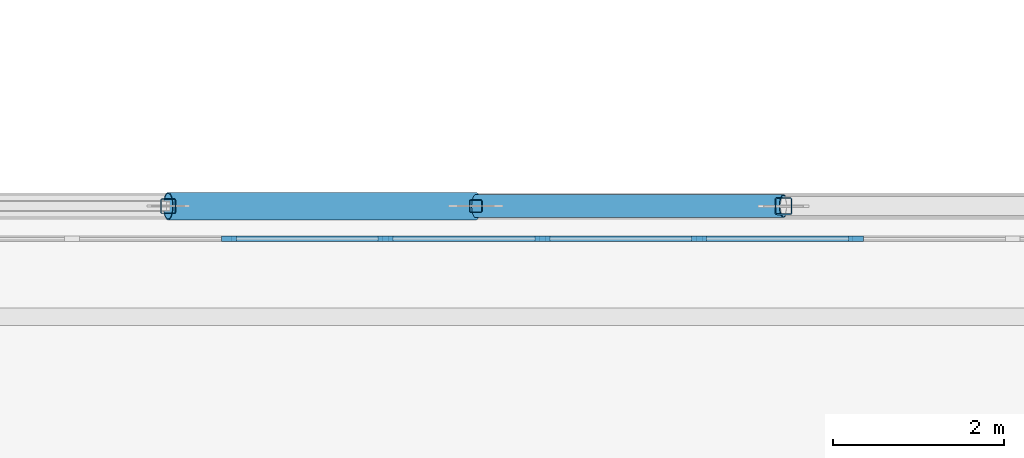
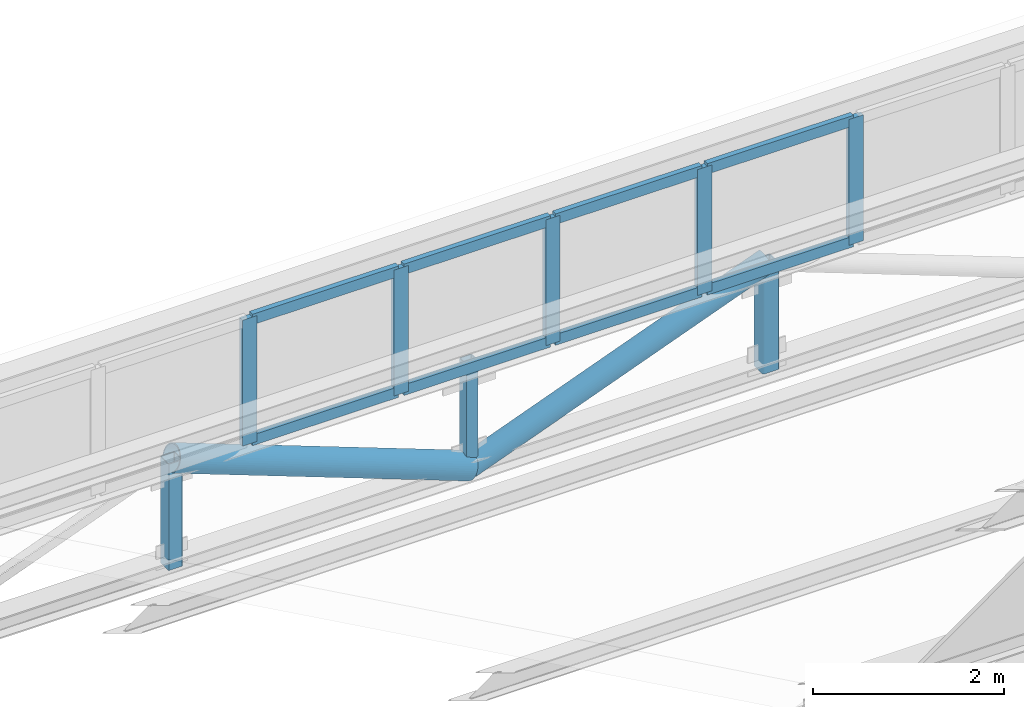
# One storey, part 32 of 98: 18 members, 1 element without a shape of its own.
"""IFC4 building model written with IfcOpenShell, lengths in metres."""

from ifc_helpers import new_model, si_unit, direction, frame, origin, origin_2d, place, context, subcontext, project, spatial, rectangle, hollow_rectangle, hollow_circle, extrude, material, layer, layer_set, material_profile, profile_set, type_object, element, aggregate, save


model = new_model("IFC4")

# Units and contexts
model_context = context("Model", 3, precision=1e-05, world=origin(), true_north=direction((0.0, 1.0)))
body_context = subcontext(model_context, "Body", "Model", "MODEL_VIEW")
ifc_project = project(units=[si_unit("LENGTHUNIT", "METRE"), si_unit("AREAUNIT", "SQUARE_METRE"), si_unit("VOLUMEUNIT", "CUBIC_METRE"), si_unit("PLANEANGLEUNIT", "RADIAN"), si_unit("MASSUNIT", "GRAM", prefix="KILO")], contexts=[model_context])

# Site, building, storey
site_placement = place(None, origin())
site = spatial("IfcSite", under=ifc_project, at=site_placement, CompositionType="ELEMENT")
building_placement = place(site_placement, origin())
building = spatial("IfcBuilding", under=site, at=building_placement, Name="Solenvale Faculty of Natural Sciences", CompositionType="ELEMENT")
storey_placement = place(building_placement, frame((0.0, 0.0, 9.0)))
storey = spatial("IfcBuildingStorey", under=building, at=storey_placement, Name="L02", CompositionType="ELEMENT", Elevation=9.0)

# Curtain wall, members
ifc_material_1 = material(Name="Anodised bronze aluminium", Category="aluminium")
ifc_layer = layer(ifc_material_1, 0.1650390625)
ifc_layer_set = layer_set([ifc_layer], Name="Anodised bronze aluminium")
curtain_wall_type = type_object("IfcCurtainWallType", Name="CW-SAW-CLR", PredefinedType="USERDEFINED", material=ifc_layer_set)
curtain_wall_placement = place(storey_placement, origin())
curtain_wall = element("IfcCurtainWall", 1, at=curtain_wall_placement, inside=storey, type_object=curtain_wall_type, Name="L02 Curtain Wall SAW-V1-CW-6-1", ObjectType="NORTH LIGHT CLERESTORY", PredefinedType="USERDEFINED")
ifc_material_profile_1 = material_profile(ifc_material_1, rectangle(XDim=0.06494140625, YDim=0.175048828125, at=origin_2d()), Name="ALU-MUL-65x175")
ifc_profile_set_1 = profile_set([ifc_material_profile_1], Name="Anodised bronze aluminium")
member_type_1 = type_object("IfcMemberType", Name="CWM-ALU-65x175", PredefinedType="MULLION", material=ifc_profile_set_1)
member_1_placement = place(storey_placement, frame((11.64794921875, 42.820068359375, 2.22998046875), z_axis=(0.0, 0.0, 1.0), x_axis=(0.0, -1.0, 0.0)))
member_1 = element("IfcMember", 2, at=member_1_placement, type_object=member_type_1, Name="CW-05 mullion 10", PredefinedType="MULLION", context=body_context, shape_type="SweptSolid", body=[
    extrude(rectangle(XDim=0.06494140625, YDim=0.175048828125, at=origin_2d()), origin(), (0.0, 0.0, 1.0), 1.610107421875),
])
member_2_placement = place(storey_placement, frame((9.813232421875, 42.820068359375, 2.22998046875), z_axis=(0.0, 0.0, 1.0), x_axis=(0.0, -1.0, 0.0)))
member_2 = element("IfcMember", 3, at=member_2_placement, type_object=member_type_1, Name="CW-05 mullion 11", PredefinedType="MULLION", context=body_context, shape_type="SweptSolid", body=[
    extrude(rectangle(XDim=0.06494140625, YDim=0.175048828125, at=origin_2d()), origin(), (0.0, 0.0, 1.0), 1.610107421875),
])
member_3_placement = place(storey_placement, frame((7.978759765625, 42.820068359375, 2.22998046875), z_axis=(0.0, 0.0, 1.0), x_axis=(0.0, -1.0, 0.0)))
member_3 = element("IfcMember", 4, at=member_3_placement, type_object=member_type_1, Name="CW-05 mullion 12", PredefinedType="MULLION", context=body_context, shape_type="SweptSolid", body=[
    extrude(rectangle(XDim=0.06494140625, YDim=0.175048828125, at=origin_2d()), origin(), (0.0, 0.0, 1.0), 1.610107421875),
])
member_4_placement = place(storey_placement, frame((6.14404296875, 42.820068359375, 2.22998046875), z_axis=(0.0, 0.0, 1.0), x_axis=(0.0, -1.0, 0.0)))
member_4 = element("IfcMember", 5, at=member_4_placement, type_object=member_type_1, Name="CW-05 mullion 13", PredefinedType="MULLION", context=body_context, shape_type="SweptSolid", body=[
    extrude(rectangle(XDim=0.06494140625, YDim=0.175048828125, at=origin_2d()), origin(), (0.0, 0.0, 1.0), 1.610107421875),
])
member_5_placement = place(storey_placement, frame((4.309326171875, 42.820068359375, 2.22998046875), z_axis=(0.0, 0.0, 1.0), x_axis=(0.0, -1.0, 0.0)))
member_5 = element("IfcMember", 6, at=member_5_placement, type_object=member_type_1, Name="CW-05 mullion 14", PredefinedType="MULLION", context=body_context, shape_type="SweptSolid", body=[
    extrude(rectangle(XDim=0.06494140625, YDim=0.175048828125, at=origin_2d()), origin(), (0.0, 0.0, 1.0), 1.610107421875),
])
ifc_material_profile_2 = material_profile(ifc_material_1, rectangle(XDim=0.06494140625, YDim=0.135009765625, at=origin_2d()), Name="ALU-TRN-65x135")
ifc_profile_set_2 = profile_set([ifc_material_profile_2], Name="Anodised bronze aluminium")
member_type_2 = type_object("IfcMemberType", Name="CWT-ALU-65x135", PredefinedType="USERDEFINED", material=ifc_profile_set_2)
member_6_placement = place(storey_placement, frame((11.615478515625, 42.820068359375, 2.262451171875), z_axis=(-1.0, 0.0, 0.0), x_axis=(0.0, -1.0, 0.0)))
member_6 = element("IfcMember", 7, at=member_6_placement, type_object=member_type_2, Name="CW-05 transom 10.1", ObjectType="TRANSOM", PredefinedType="USERDEFINED", context=body_context, shape_type="SweptSolid", body=[
    extrude(rectangle(XDim=0.06494140625, YDim=0.135009765625, at=origin_2d()), origin(), (0.0, 0.0, 1.0), 1.76953125),
])
member_7_placement = place(storey_placement, frame((11.615478515625, 42.820068359375, 3.8076171875), z_axis=(-1.0, 0.0, 0.0), x_axis=(0.0, -1.0, 0.0)))
member_7 = element("IfcMember", 8, at=member_7_placement, type_object=member_type_2, Name="CW-05 transom 10.2", ObjectType="TRANSOM", PredefinedType="USERDEFINED", context=body_context, shape_type="SweptSolid", body=[
    extrude(rectangle(XDim=0.06494140625, YDim=0.135009765625, at=origin_2d()), origin(), (0.0, 0.0, 1.0), 1.76953125),
])
member_8_placement = place(storey_placement, frame((9.78076171875, 42.820068359375, 2.262451171875), z_axis=(-1.0, 0.0, 0.0), x_axis=(0.0, -1.0, 0.0)))
member_8 = element("IfcMember", 9, at=member_8_placement, type_object=member_type_2, Name="CW-05 transom 11.1", ObjectType="TRANSOM", PredefinedType="USERDEFINED", context=body_context, shape_type="SweptSolid", body=[
    extrude(rectangle(XDim=0.06494140625, YDim=0.135009765625, at=origin_2d()), origin(), (0.0, 0.0, 1.0), 1.76953125),
])
member_9_placement = place(storey_placement, frame((9.78076171875, 42.820068359375, 3.8076171875), z_axis=(-1.0, 0.0, 0.0), x_axis=(0.0, -1.0, 0.0)))
member_9 = element("IfcMember", 10, at=member_9_placement, type_object=member_type_2, Name="CW-05 transom 11.2", ObjectType="TRANSOM", PredefinedType="USERDEFINED", context=body_context, shape_type="SweptSolid", body=[
    extrude(rectangle(XDim=0.06494140625, YDim=0.135009765625, at=origin_2d()), origin(), (0.0, 0.0, 1.0), 1.76953125),
])
member_10_placement = place(storey_placement, frame((7.946044921875, 42.820068359375, 2.262451171875), z_axis=(-1.0, 0.0, 0.0), x_axis=(0.0, -1.0, 0.0)))
member_10 = element("IfcMember", 11, at=member_10_placement, type_object=member_type_2, Name="CW-05 transom 12.1", ObjectType="TRANSOM", PredefinedType="USERDEFINED", context=body_context, shape_type="SweptSolid", body=[
    extrude(rectangle(XDim=0.06494140625, YDim=0.135009765625, at=origin_2d()), origin(), (0.0, 0.0, 1.0), 1.76953125),
])
member_11_placement = place(storey_placement, frame((7.946044921875, 42.820068359375, 3.8076171875), z_axis=(-1.0, 0.0, 0.0), x_axis=(0.0, -1.0, 0.0)))
member_11 = element("IfcMember", 12, at=member_11_placement, type_object=member_type_2, Name="CW-05 transom 12.2", ObjectType="TRANSOM", PredefinedType="USERDEFINED", context=body_context, shape_type="SweptSolid", body=[
    extrude(rectangle(XDim=0.06494140625, YDim=0.135009765625, at=origin_2d()), origin(), (0.0, 0.0, 1.0), 1.76953125),
])
member_12_placement = place(storey_placement, frame((6.111572265625, 42.820068359375, 2.262451171875), z_axis=(-1.0, 0.0, 0.0), x_axis=(0.0, -1.0, 0.0)))
member_12 = element("IfcMember", 13, at=member_12_placement, type_object=member_type_2, Name="CW-05 transom 13.1", ObjectType="TRANSOM", PredefinedType="USERDEFINED", context=body_context, shape_type="SweptSolid", body=[
    extrude(rectangle(XDim=0.06494140625, YDim=0.135009765625, at=origin_2d()), origin(), (0.0, 0.0, 1.0), 1.769775390625),
])
member_13_placement = place(storey_placement, frame((6.111572265625, 42.820068359375, 3.8076171875), z_axis=(-1.0, 0.0, 0.0), x_axis=(0.0, -1.0, 0.0)))
member_13 = element("IfcMember", 14, at=member_13_placement, type_object=member_type_2, Name="CW-05 transom 13.2", ObjectType="TRANSOM", PredefinedType="USERDEFINED", context=body_context, shape_type="SweptSolid", body=[
    extrude(rectangle(XDim=0.06494140625, YDim=0.135009765625, at=origin_2d()), origin(), (0.0, 0.0, 1.0), 1.769775390625),
])
aggregate(curtain_wall, [member_1, member_2, member_3, member_4, member_5, member_6, member_7, member_8, member_9, member_10, member_11, member_12, member_13])

# Members
ifc_material_2 = material(Name="Steel S355", Category="steel")
ifc_material_profile_3 = material_profile(ifc_material_2, hollow_circle(Radius=0.136474609375, WallThickness=0.010986328125, at=origin_2d()), Name="HSS273x11")
ifc_profile_set_3 = profile_set([ifc_material_profile_3], Name="Steel S355")
member_type_3 = type_object("IfcMemberType", Name="MB-BRC-CHS273", PredefinedType="BRACE", material=ifc_profile_set_3)
member_14_placement = place(storey_placement, frame((7.199951171875, 43.199951171875, 0.68994140625), z_axis=(0.935466034784, 0.0, 0.353416606522), x_axis=(0.0, 1.0, 0.0)))
element("IfcMember", 15, at=member_14_placement, inside=storey, type_object=member_type_3, Name="V1 Truss 6.1 Diagonal 3", PredefinedType="BRACE", context=body_context, shape_type="SweptSolid", body=[
    extrude(hollow_circle(Radius=0.136474609375, WallThickness=0.010986328125, at=origin_2d()), origin(), (0.0, 0.0, 1.0), 3.848388671875),
])
ifc_material_profile_4 = material_profile(ifc_material_2, hollow_circle(Radius=0.161865234375, WallThickness=0.0126953125, at=origin_2d()), Name="HSS324x13")
ifc_profile_set_4 = profile_set([ifc_material_profile_4], Name="Steel S355")
member_type_4 = type_object("IfcMemberType", Name="MB-BRC-CHS324", PredefinedType="BRACE", material=ifc_profile_set_4)
member_15_placement = place(storey_placement, frame((3.60009765625, 43.199951171875, 2.050048828125), z_axis=(0.935458110384, 0.0, -0.353437581075), x_axis=(0.0, 1.0, 0.0)))
element("IfcMember", 16, at=member_15_placement, inside=storey, type_object=member_type_4, Name="V1 Truss 6.1 Diagonal 2", PredefinedType="BRACE", context=body_context, shape_type="SweptSolid", body=[
    extrude(hollow_circle(Radius=0.161865234375, WallThickness=0.0126953125, at=origin_2d()), origin(), (0.0, 0.0, 1.0), 3.84814453125),
])
ifc_material_profile_5 = material_profile(ifc_material_2, hollow_rectangle(XDim=0.152099609375, YDim=0.152099609375, WallThickness=0.009521484375, InnerFilletRadius=0.009521484375, OuterFilletRadius=0.01904296875, at=origin_2d()), Name="HSS152x152x9.5")
ifc_profile_set_5 = profile_set([ifc_material_profile_5], Name="Steel S355")
member_type_5 = type_object("IfcMemberType", Name="MB-STR-HSS152", PredefinedType="STRUT", material=ifc_profile_set_5)
member_16_placement = place(storey_placement, frame((7.199951171875, 43.199951171875, 0.68994140625), z_axis=(0.0, 0.0, 1.0), x_axis=(1.0, 0.0, 0.0)))
element("IfcMember", 17, at=member_16_placement, inside=storey, type_object=member_type_5, Name="V1 Truss 6.1 Strut 2", PredefinedType="STRUT", context=body_context, shape_type="SweptSolid", body=[
    extrude(hollow_rectangle(XDim=0.152099609375, YDim=0.152099609375, WallThickness=0.009521484375, InnerFilletRadius=0.009521484375, OuterFilletRadius=0.01904296875, at=origin_2d()), origin(), (0.0, 0.0, 1.0), 1.360107421875),
])
ifc_material_profile_6 = material_profile(ifc_material_2, hollow_rectangle(XDim=0.177978515625, YDim=0.177978515625, WallThickness=0.009521484375, InnerFilletRadius=0.009521484375, OuterFilletRadius=0.01904296875, at=origin_2d()), Name="HSS178x178x9.5")
ifc_profile_set_6 = profile_set([ifc_material_profile_6], Name="Steel S355")
member_type_6 = type_object("IfcMemberType", Name="MB-STR-HSS178", PredefinedType="STRUT", material=ifc_profile_set_6)
member_17_placement = place(storey_placement, frame((3.60009765625, 43.199951171875, 0.68994140625), z_axis=(0.0, 0.0, 1.0), x_axis=(1.0, 0.0, 0.0)))
element("IfcMember", 18, at=member_17_placement, inside=storey, type_object=member_type_6, Name="V1 Truss 6.1 Strut 1", PredefinedType="STRUT", context=body_context, shape_type="SweptSolid", body=[
    extrude(hollow_rectangle(XDim=0.177978515625, YDim=0.177978515625, WallThickness=0.009521484375, InnerFilletRadius=0.009521484375, OuterFilletRadius=0.01904296875, at=origin_2d()), origin(), (0.0, 0.0, 1.0), 1.360107421875),
])
ifc_material_profile_7 = material_profile(ifc_material_2, hollow_rectangle(XDim=0.202880859375, YDim=0.202880859375, WallThickness=0.0126953125, InnerFilletRadius=0.0126953125, OuterFilletRadius=0.025390625, at=origin_2d()), Name="HSS203x203x13")
ifc_profile_set_7 = profile_set([ifc_material_profile_7], Name="Steel S355")
member_type_7 = type_object("IfcMemberType", Name="MB-STR-HSS203", PredefinedType="STRUT", material=ifc_profile_set_7)
member_18_placement = place(storey_placement, frame((10.800048828125, 43.199951171875, 0.68994140625), z_axis=(0.0, 0.0, 1.0), x_axis=(1.0, 0.0, 0.0)))
element("IfcMember", 19, at=member_18_placement, inside=storey, type_object=member_type_7, Name="V1 Truss 6.1 Strut 3", PredefinedType="STRUT", context=body_context, shape_type="SweptSolid", body=[
    extrude(hollow_rectangle(XDim=0.202880859375, YDim=0.202880859375, WallThickness=0.0126953125, InnerFilletRadius=0.0126953125, OuterFilletRadius=0.025390625, at=origin_2d()), origin(), (0.0, 0.0, 1.0), 1.360107421875),
])

save(model, "model.ifc")
